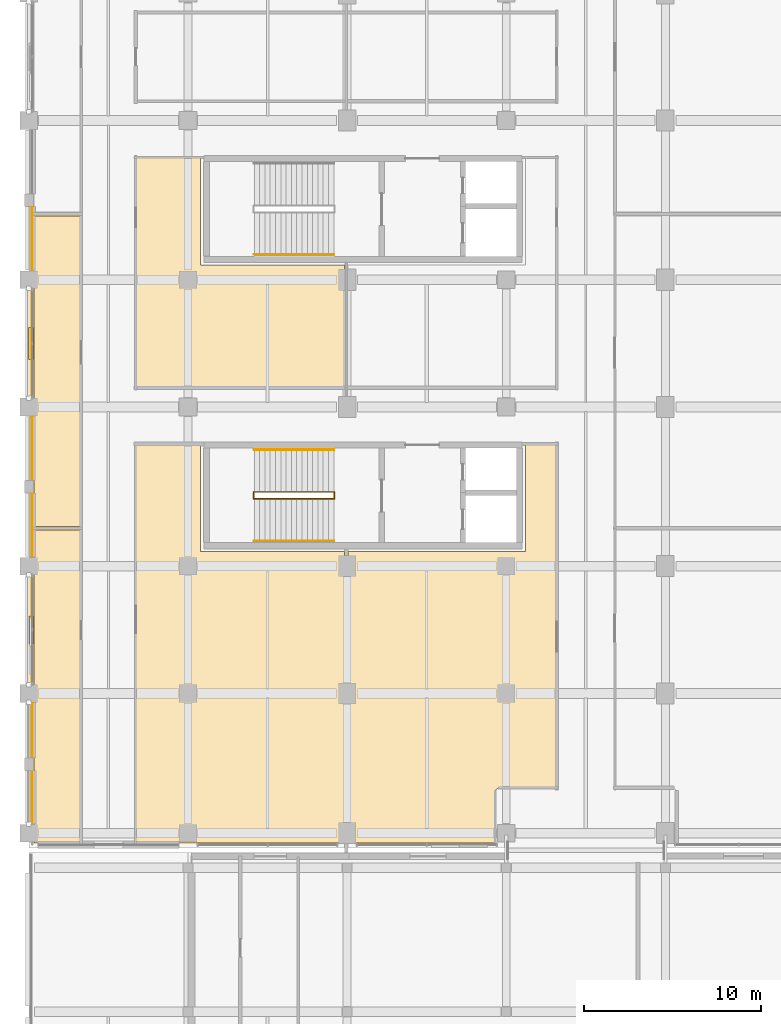
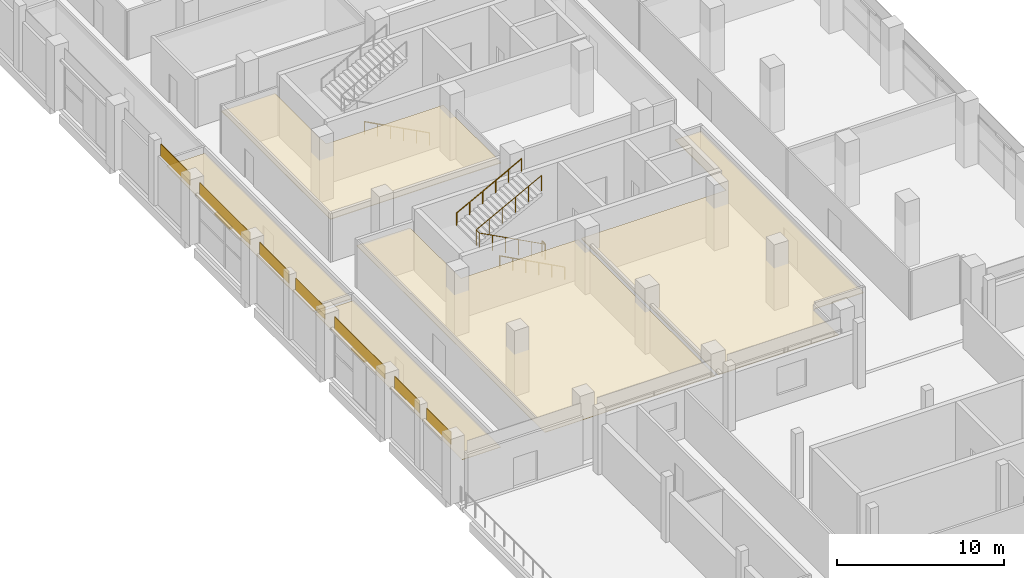
# One storey, part 92 of 111: 12 coverings, 5 railings, 2 shading devices.
"""IFC4 building model written with IfcOpenShell, lengths in metres."""

from ifc_helpers import new_model, si_unit, direction, frame, origin, origin_2d, place, context, subcontext, project, spatial, polyline, rectangle, circle, outline, extrude, material, layer, layer_set, type_object, element, save


model = new_model("IFC4")

# Units and contexts
model_context = context("Model", 3, precision=1e-05, world=origin(), true_north=direction((0.0, 1.0)))
body_context = subcontext(model_context, "Body", "Model", "MODEL_VIEW")
ifc_project = project(units=[si_unit("LENGTHUNIT", "METRE"), si_unit("AREAUNIT", "SQUARE_METRE"), si_unit("VOLUMEUNIT", "CUBIC_METRE"), si_unit("PLANEANGLEUNIT", "RADIAN"), si_unit("MASSUNIT", "GRAM", prefix="KILO"), si_unit("THERMODYNAMICTEMPERATUREUNIT", "KELVIN"), si_unit("POWERUNIT", "WATT")], contexts=[model_context])

# Site, building, storey
site_placement = place(None, origin())
site = spatial("IfcSite", under=ifc_project, at=site_placement, CompositionType="ELEMENT")
building_placement = place(site_placement, origin())
building = spatial("IfcBuilding", under=site, at=building_placement, Name="Sindhuravela Promenade Stadium", CompositionType="ELEMENT")
storey_placement = place(building_placement, frame((0.0, 0.0, 9.60009765625)))
storey = spatial("IfcBuildingStorey", under=building, at=storey_placement, Name="L02", CompositionType="ELEMENT", Elevation=9.60009765625)

# Coverings
ifc_material_1 = material(Name="Acoustic mineral-fibre ceiling tile", Category="gypsum")
ifc_layer_1 = layer(ifc_material_1, 0.02490234375)
ifc_layer_set_1 = layer_set([ifc_layer_1], Name="Acoustic mineral-fibre ceiling tile")
covering_type_1 = type_object("IfcCoveringType", Name="CV-CEIL-1", PredefinedType="CEILING", material=ifc_layer_set_1)
covering_1_placement = place(storey_placement, frame((0.0, 0.0, 3.0498046875)))
element("IfcCovering", 1, at=covering_1_placement, inside=storey, type_object=covering_type_1, Name="Acoustic ceiling West Club Lounge", PredefinedType="CEILING", context=body_context, shape_type="SweptSolid", body=[
    extrude(outline(polyline([(6.02001953125, 59.110107421875), (6.02001953125, 59.112060546875), (6.0205078125, 59.114013671875), (6.02099609375, 59.11572265625), (6.021484375, 59.11767578125), (6.0224609375, 59.119384765625), (6.0234375, 59.12109375), (6.0244140625, 59.122802734375), (6.02587890625, 59.1240234375), (6.02734375, 59.12548828125), (6.02880859375, 59.126708984375), (6.030517578125, 59.127685546875), (6.0322265625, 59.12841796875), (6.0341796875, 59.129150390625), (6.0361328125, 59.129638671875), (6.0380859375, 59.1298828125), (6.0400390625, 59.1298828125), (9.699951171875, 59.1298828125), (9.701904296875, 59.1298828125), (9.703857421875, 59.129638671875), (9.705810546875, 59.129150390625), (9.707763671875, 59.12841796875), (9.70947265625, 59.127685546875), (9.711181640625, 59.126708984375), (9.712646484375, 59.12548828125), (9.714111328125, 59.1240234375), (9.715576171875, 59.122802734375), (9.716552734375, 59.12109375), (9.717529296875, 59.119384765625), (9.718505859375, 59.11767578125), (9.718994140625, 59.11572265625), (9.719482421875, 59.114013671875), (9.719970703125, 59.112060546875), (9.719970703125, 59.110107421875), (9.719970703125, 53.02001953125), (17.830078125, 53.02001953125), (17.83203125, 53.02001953125), (17.833984375, 53.01953125), (17.835693359375, 53.01904296875), (17.837646484375, 53.0185546875), (17.83935546875, 53.017578125), (17.841064453125, 53.0166015625), (17.8427734375, 53.015380859375), (17.843994140625, 53.01416015625), (17.845458984375, 53.0126953125), (17.8466796875, 53.010986328125), (17.84765625, 53.009521484375), (17.848388671875, 53.0078125), (17.84912109375, 53.005859375), (17.849609375, 53.00390625), (17.849853515625, 53.001953125), (17.85009765625, 53.0), (17.85009765625, 36.570068359375), (17.849853515625, 36.568115234375), (17.849609375, 36.566162109375), (17.84912109375, 36.564208984375), (17.848388671875, 36.562255859375), (17.84765625, 36.560546875), (17.8466796875, 36.558837890625), (17.845458984375, 36.557373046875), (17.843994140625, 36.555908203125), (17.8427734375, 36.554443359375), (17.841064453125, 36.553466796875), (17.83935546875, 36.552490234375), (17.837646484375, 36.551513671875), (17.835693359375, 36.55078125), (17.833984375, 36.55029296875), (17.83203125, 36.550048828125), (17.830078125, 36.550048828125), (6.0400390625, 36.550048828125), (6.0380859375, 36.550048828125), (6.0361328125, 36.55029296875), (6.0341796875, 36.55078125), (6.0322265625, 36.551513671875), (6.030517578125, 36.552490234375), (6.02880859375, 36.553466796875), (6.02734375, 36.554443359375), (6.02587890625, 36.555908203125), (6.0244140625, 36.557373046875), (6.0234375, 36.558837890625), (6.0224609375, 36.560546875), (6.021484375, 36.562255859375), (6.02099609375, 36.564208984375), (6.0205078125, 36.566162109375), (6.02001953125, 36.568115234375), (6.02001953125, 36.570068359375), (6.02001953125, 59.110107421875)])), origin(), (0.0, 0.0, 1.0), 0.025146484375),
])
covering_2_placement = place(storey_placement, frame((0.0, 0.0, 3.0498046875)))
element("IfcCovering", 2, at=covering_2_placement, inside=storey, type_object=covering_type_1, Name="Acoustic ceiling West Club Lounge 9", PredefinedType="CEILING", context=body_context, shape_type="SweptSolid", body=[
    extrude(outline(polyline([(0.300048828125, 54.221923828125), (0.300048828125, 54.22412109375), (0.30029296875, 54.225830078125), (0.30078125, 54.227783203125), (0.301513671875, 54.229736328125), (0.302490234375, 54.2314453125), (0.303466796875, 54.233154296875), (0.304443359375, 54.234619140625), (0.305908203125, 54.236083984375), (0.307373046875, 54.237548828125), (0.308837890625, 54.238525390625), (0.310546875, 54.239501953125), (0.312255859375, 54.240478515625), (0.314208984375, 54.2412109375), (0.316162109375, 54.24169921875), (0.318115234375, 54.241943359375), (0.320068359375, 54.241943359375), (2.9599609375, 54.241943359375), (2.9619140625, 54.241943359375), (2.9638671875, 54.24169921875), (2.9658203125, 54.2412109375), (2.9677734375, 54.240478515625), (2.969482421875, 54.239501953125), (2.97119140625, 54.238525390625), (2.97265625, 54.237548828125), (2.97412109375, 54.236083984375), (2.9755859375, 54.234619140625), (2.9765625, 54.233154296875), (2.9775390625, 54.2314453125), (2.978515625, 54.229736328125), (2.97900390625, 54.227783203125), (2.9794921875, 54.225830078125), (2.97998046875, 54.22412109375), (2.97998046875, 54.221923828125), (2.97998046875, 36.570068359375), (2.97998046875, 36.568115234375), (2.9794921875, 36.566162109375), (2.97900390625, 36.564208984375), (2.978515625, 36.562255859375), (2.9775390625, 36.560546875), (2.9765625, 36.558837890625), (2.9755859375, 36.557373046875), (2.97412109375, 36.555908203125), (2.97265625, 36.554443359375), (2.97119140625, 36.553466796875), (2.969482421875, 36.552490234375), (2.9677734375, 36.551513671875), (2.9658203125, 36.55078125), (2.9638671875, 36.55029296875), (2.9619140625, 36.550048828125), (2.9599609375, 36.550048828125), (0.320068359375, 36.550048828125), (0.318115234375, 36.550048828125), (0.316162109375, 36.55029296875), (0.314208984375, 36.55078125), (0.312255859375, 36.551513671875), (0.310546875, 36.552490234375), (0.308837890625, 36.553466796875), (0.307373046875, 36.554443359375), (0.305908203125, 36.555908203125), (0.304443359375, 36.557373046875), (0.303466796875, 36.558837890625), (0.302490234375, 36.560546875), (0.301513671875, 36.562255859375), (0.30078125, 36.564208984375), (0.30029296875, 36.566162109375), (0.300048828125, 36.568115234375), (0.300048828125, 36.570068359375), (0.300048828125, 54.221923828125)])), origin(), (0.0, 0.0, 1.0), 0.025146484375),
])
ifc_layer_2 = layer(ifc_material_1, 0.044921875)
ifc_layer_set_2 = layer_set([ifc_layer_2], Name="Acoustic mineral-fibre ceiling tile")
covering_type_2 = type_object("IfcCoveringType", Name="CV-CEIL-2", PredefinedType="CEILING", material=ifc_layer_set_2)
covering_3_placement = place(storey_placement, frame((0.0, 0.0, 3.0498046875)))
element("IfcCovering", 3, at=covering_3_placement, inside=storey, type_object=covering_type_2, Name="Acoustic ceiling Accessible WC West L02", PredefinedType="CEILING", context=body_context, shape_type="SweptSolid", body=[
    extrude(outline(polyline([(28.080078125, 53.02001953125), (28.080078125, 59.110107421875), (28.080078125, 59.112060546875), (28.080322265625, 59.114013671875), (28.080810546875, 59.11572265625), (28.08154296875, 59.11767578125), (28.08251953125, 59.119384765625), (28.08349609375, 59.12109375), (28.08447265625, 59.122802734375), (28.0859375, 59.1240234375), (28.08740234375, 59.12548828125), (28.0888671875, 59.126708984375), (28.090576171875, 59.127685546875), (28.09228515625, 59.12841796875), (28.09423828125, 59.129150390625), (28.09619140625, 59.129638671875), (28.097900390625, 59.1298828125), (28.10009765625, 59.1298828125), (29.860107421875, 59.1298828125), (29.862060546875, 59.1298828125), (29.864013671875, 59.129638671875), (29.86572265625, 59.129150390625), (29.86767578125, 59.12841796875), (29.869384765625, 59.127685546875), (29.87109375, 59.126708984375), (29.872802734375, 59.12548828125), (29.8740234375, 59.1240234375), (29.87548828125, 59.122802734375), (29.876708984375, 59.12109375), (29.877685546875, 59.119384765625), (29.87841796875, 59.11767578125), (29.879150390625, 59.11572265625), (29.879638671875, 59.114013671875), (29.8798828125, 59.112060546875), (29.8798828125, 59.110107421875), (29.8798828125, 39.659912109375), (29.8798828125, 39.657958984375), (29.879638671875, 39.656005859375), (29.879150390625, 39.654296875), (29.87841796875, 39.65234375), (29.877685546875, 39.650634765625), (29.876708984375, 39.64892578125), (29.87548828125, 39.647216796875), (29.8740234375, 39.64599609375), (29.872802734375, 39.64453125), (29.87109375, 39.643310546875), (29.869384765625, 39.642333984375), (29.86767578125, 39.6416015625), (29.86572265625, 39.640869140625), (29.864013671875, 39.640380859375), (29.862060546875, 39.64013671875), (29.860107421875, 39.639892578125), (26.6005859375, 39.639892578125), (26.578369140625, 39.638916015625), (26.55712890625, 39.6357421875), (26.5361328125, 39.630615234375), (26.515869140625, 39.623291015625), (26.496337890625, 39.614013671875), (26.477783203125, 39.602783203125), (26.46044921875, 39.590087890625), (26.444580078125, 39.575439453125), (26.429931640625, 39.5595703125), (26.4169921875, 39.542236328125), (26.406005859375, 39.523681640625), (26.396728515625, 39.504150390625), (26.389404296875, 39.48388671875), (26.38427734375, 39.462890625), (26.381103515625, 39.441650390625), (26.3798828125, 39.41943359375), (26.3798828125, 36.570068359375), (26.3798828125, 36.568115234375), (26.379638671875, 36.566162109375), (26.379150390625, 36.564208984375), (26.37841796875, 36.562255859375), (26.377685546875, 36.560546875), (26.376708984375, 36.558837890625), (26.37548828125, 36.557373046875), (26.3740234375, 36.555908203125), (26.372802734375, 36.554443359375), (26.37109375, 36.553466796875), (26.369384765625, 36.552490234375), (26.36767578125, 36.551513671875), (26.36572265625, 36.55078125), (26.364013671875, 36.55029296875), (26.362060546875, 36.550048828125), (26.360107421875, 36.550048828125), (18.070068359375, 36.550048828125), (18.068115234375, 36.550048828125), (18.066162109375, 36.55029296875), (18.064208984375, 36.55078125), (18.062255859375, 36.551513671875), (18.060546875, 36.552490234375), (18.058837890625, 36.553466796875), (18.057373046875, 36.554443359375), (18.055908203125, 36.555908203125), (18.054443359375, 36.557373046875), (18.053466796875, 36.558837890625), (18.052490234375, 36.560546875), (18.051513671875, 36.562255859375), (18.05078125, 36.564208984375), (18.05029296875, 36.566162109375), (18.050048828125, 36.568115234375), (18.050048828125, 36.570068359375), (18.050048828125, 53.0), (18.050048828125, 53.001953125), (18.05029296875, 53.00390625), (18.05078125, 53.005859375), (18.051513671875, 53.0078125), (18.052490234375, 53.009521484375), (18.053466796875, 53.010986328125), (18.054443359375, 53.0126953125), (18.055908203125, 53.01416015625), (18.057373046875, 53.015380859375), (18.058837890625, 53.0166015625), (18.060546875, 53.017578125), (18.062255859375, 53.0185546875), (18.064208984375, 53.01904296875), (18.066162109375, 53.01953125), (18.068115234375, 53.02001953125), (18.070068359375, 53.02001953125), (28.080078125, 53.02001953125)])), origin(), (0.0, 0.0, 1.0), 0.045166015625),
])
covering_4_placement = place(storey_placement, frame((0.0, 0.0, 3.0498046875)))
element("IfcCovering", 4, at=covering_4_placement, inside=storey, type_object=covering_type_2, Name="Acoustic ceiling Club Finishing Kitchen West 4", PredefinedType="CEILING", context=body_context, shape_type="SweptSolid", body=[
    extrude(outline(polyline([(6.0400390625, 62.27001953125), (6.0380859375, 62.27001953125), (6.0361328125, 62.2705078125), (6.0341796875, 62.27099609375), (6.0322265625, 62.271484375), (6.030517578125, 62.2724609375), (6.02880859375, 62.2734375), (6.02734375, 62.2744140625), (6.02587890625, 62.27587890625), (6.0244140625, 62.27734375), (6.0234375, 62.27880859375), (6.0224609375, 62.280517578125), (6.021484375, 62.2822265625), (6.02099609375, 62.2841796875), (6.0205078125, 62.2861328125), (6.02001953125, 62.2880859375), (6.02001953125, 62.2900390625), (6.02001953125, 75.31005859375), (6.02001953125, 75.31201171875), (6.0205078125, 75.31396484375), (6.02099609375, 75.31591796875), (6.021484375, 75.317626953125), (6.0224609375, 75.3193359375), (6.0234375, 75.321044921875), (6.0244140625, 75.32275390625), (6.02587890625, 75.32421875), (6.02734375, 75.325439453125), (6.02880859375, 75.32666015625), (6.030517578125, 75.32763671875), (6.0322265625, 75.32861328125), (6.0341796875, 75.3291015625), (6.0361328125, 75.32958984375), (6.0380859375, 75.329833984375), (6.0400390625, 75.330078125), (9.699951171875, 75.330078125), (9.701904296875, 75.329833984375), (9.703857421875, 75.32958984375), (9.705810546875, 75.3291015625), (9.707763671875, 75.32861328125), (9.70947265625, 75.32763671875), (9.711181640625, 75.32666015625), (9.712646484375, 75.325439453125), (9.714111328125, 75.32421875), (9.715576171875, 75.32275390625), (9.716552734375, 75.321044921875), (9.717529296875, 75.3193359375), (9.718505859375, 75.317626953125), (9.718994140625, 75.31591796875), (9.719482421875, 75.31396484375), (9.719970703125, 75.31201171875), (9.719970703125, 75.31005859375), (9.719970703125, 69.219970703125), (17.830078125, 69.219970703125), (17.83203125, 69.219970703125), (17.833984375, 69.219482421875), (17.835693359375, 69.218994140625), (17.837646484375, 69.218505859375), (17.83935546875, 69.217529296875), (17.841064453125, 69.216552734375), (17.8427734375, 69.215576171875), (17.843994140625, 69.214111328125), (17.845458984375, 69.212646484375), (17.8466796875, 69.211181640625), (17.84765625, 69.20947265625), (17.848388671875, 69.207763671875), (17.84912109375, 69.205810546875), (17.849609375, 69.203857421875), (17.849853515625, 69.201904296875), (17.85009765625, 69.199951171875), (17.85009765625, 62.2900390625), (17.849853515625, 62.2880859375), (17.849609375, 62.2861328125), (17.84912109375, 62.2841796875), (17.848388671875, 62.2822265625), (17.84765625, 62.280517578125), (17.8466796875, 62.27880859375), (17.845458984375, 62.27734375), (17.843994140625, 62.27587890625), (17.8427734375, 62.2744140625), (17.841064453125, 62.2734375), (17.83935546875, 62.2724609375), (17.837646484375, 62.271484375), (17.835693359375, 62.27099609375), (17.833984375, 62.2705078125), (17.83203125, 62.27001953125), (17.830078125, 62.27001953125), (6.0400390625, 62.27001953125)])), origin(), (0.0, 0.0, 1.0), 0.045166015625),
])
covering_5_placement = place(storey_placement, frame((0.0, 0.0, 3.0498046875)))
element("IfcCovering", 5, at=covering_5_placement, inside=storey, type_object=covering_type_2, Name="Acoustic ceiling Directors Reception Lounge 12", PredefinedType="CEILING", context=body_context, shape_type="SweptSolid", body=[
    extrude(outline(polyline([(0.300048828125, 71.993896484375), (0.300048828125, 71.99609375), (0.30029296875, 71.997802734375), (0.30078125, 71.999755859375), (0.301513671875, 72.001708984375), (0.302490234375, 72.00341796875), (0.303466796875, 72.005126953125), (0.304443359375, 72.006591796875), (0.305908203125, 72.008056640625), (0.307373046875, 72.009521484375), (0.308837890625, 72.010498046875), (0.310546875, 72.01171875), (0.312255859375, 72.012451171875), (0.314208984375, 72.01318359375), (0.316162109375, 72.013671875), (0.318115234375, 72.013916015625), (0.320068359375, 72.013916015625), (2.9599609375, 72.013916015625), (2.9619140625, 72.013916015625), (2.9638671875, 72.013671875), (2.9658203125, 72.01318359375), (2.9677734375, 72.012451171875), (2.969482421875, 72.01171875), (2.97119140625, 72.010498046875), (2.97265625, 72.009521484375), (2.97412109375, 72.008056640625), (2.9755859375, 72.006591796875), (2.9765625, 72.005126953125), (2.9775390625, 72.00341796875), (2.978515625, 72.001708984375), (2.97900390625, 71.999755859375), (2.9794921875, 71.997802734375), (2.97998046875, 71.99609375), (2.97998046875, 71.993896484375), (2.97998046875, 54.4619140625), (2.97998046875, 54.4599609375), (2.9794921875, 54.4580078125), (2.97900390625, 54.456298828125), (2.978515625, 54.454345703125), (2.9775390625, 54.45263671875), (2.9765625, 54.450927734375), (2.9755859375, 54.44921875), (2.97412109375, 54.447998046875), (2.97265625, 54.446533203125), (2.97119140625, 54.4453125), (2.969482421875, 54.4443359375), (2.9677734375, 54.443603515625), (2.9658203125, 54.44287109375), (2.9638671875, 54.4423828125), (2.9619140625, 54.442138671875), (2.9599609375, 54.44189453125), (0.320068359375, 54.44189453125), (0.318115234375, 54.442138671875), (0.316162109375, 54.4423828125), (0.314208984375, 54.44287109375), (0.312255859375, 54.443603515625), (0.310546875, 54.4443359375), (0.308837890625, 54.4453125), (0.307373046875, 54.446533203125), (0.305908203125, 54.447998046875), (0.304443359375, 54.44921875), (0.303466796875, 54.450927734375), (0.302490234375, 54.45263671875), (0.301513671875, 54.454345703125), (0.30078125, 54.456298828125), (0.30029296875, 54.4580078125), (0.300048828125, 54.4599609375), (0.300048828125, 54.4619140625), (0.300048828125, 71.993896484375)])), origin(), (0.0, 0.0, 1.0), 0.045166015625),
])
ifc_material_2 = material(Name="Polychrome trencadis ceramic mosaic", Category="masonry")
ifc_layer_3 = layer(ifc_material_2, 0.034912109375)
ifc_layer_set_3 = layer_set([ifc_layer_3], Name="Polychrome trencadis ceramic mosaic")
covering_type_3 = type_object("IfcCoveringType", Name="CV-TRENC-1", PredefinedType="CLADDING", material=ifc_layer_set_3)
covering_6_placement = place(storey_placement, frame((0.179931640625, 42.925048828125, 3.5546875), z_axis=(0.0, 0.0, 1.0), x_axis=(0.0, 1.0, 0.0)))
element("IfcCovering", 6, at=covering_6_placement, inside=storey, type_object=covering_type_3, Name="Trencadis ceramic mosaic spandrel frieze WEST L02-28", PredefinedType="CLADDING", context=body_context, shape_type="SweptSolid", body=[
    extrude(rectangle(XDim=3.02001953125, YDim=0.034912109375, at=origin_2d()), origin(), (0.0, 0.0, 1.0), 0.905029296875),
])
covering_7_placement = place(storey_placement, frame((0.179931640625, 54.52490234375, 3.5546875), z_axis=(0.0, 0.0, 1.0), x_axis=(0.0, 1.0, 0.0)))
element("IfcCovering", 7, at=covering_7_placement, inside=storey, type_object=covering_type_3, Name="Trencadis ceramic mosaic spandrel frieze WEST L02-30", PredefinedType="CLADDING", context=body_context, shape_type="SweptSolid", body=[
    extrude(rectangle(XDim=3.52001953125, YDim=0.034912109375, at=origin_2d()), origin(), (0.0, 0.0, 1.0), 0.905029296875),
])
covering_8_placement = place(storey_placement, frame((0.179931640625, 64.800048828125, 3.5546875), z_axis=(0.0, 0.0, 1.0), x_axis=(0.0, 1.0, 0.0)))
element("IfcCovering", 8, at=covering_8_placement, inside=storey, type_object=covering_type_3, Name="Trencadis ceramic mosaic spandrel frieze WEST L02-32", PredefinedType="CLADDING", context=body_context, shape_type="SweptSolid", body=[
    extrude(rectangle(XDim=6.070068359375, YDim=0.034912109375, at=origin_2d()), origin(), (0.0, 0.0, 1.0), 0.905029296875),
])
ifc_layer_4 = layer(ifc_material_2, 0.050048828125)
ifc_layer_set_4 = layer_set([ifc_layer_4], Name="Polychrome trencadis ceramic mosaic")
covering_type_4 = type_object("IfcCoveringType", Name="CV-TRENC-2", PredefinedType="CLADDING", material=ifc_layer_set_4)
covering_9_placement = place(storey_placement, frame((0.179931640625, 39.125, 3.5546875), z_axis=(0.0, 0.0, 1.0), x_axis=(0.0, 1.0, 0.0)))
element("IfcCovering", 9, at=covering_9_placement, inside=storey, type_object=covering_type_4, Name="Trencadis ceramic mosaic spandrel frieze WEST L02-27", PredefinedType="CLADDING", context=body_context, shape_type="SweptSolid", body=[
    extrude(rectangle(XDim=2.919921875, YDim=0.050048828125, at=origin_2d()), origin(), (0.0, 0.0, 1.0), 0.905029296875),
])
covering_10_placement = place(storey_placement, frame((0.179931640625, 48.60009765625, 3.5546875), z_axis=(0.0, 0.0, 1.0), x_axis=(0.0, 1.0, 0.0)))
element("IfcCovering", 10, at=covering_10_placement, inside=storey, type_object=covering_type_4, Name="Trencadis ceramic mosaic spandrel frieze WEST L02-29", PredefinedType="CLADDING", context=body_context, shape_type="SweptSolid", body=[
    extrude(rectangle(XDim=6.070068359375, YDim=0.050048828125, at=origin_2d()), origin(), (0.0, 0.0, 1.0), 0.905029296875),
])
for number, where, z_axis, x_axis, name in (
    (11, (0.179931640625, 58.875, 3.5546875), (0.0, 0.0, 1.0), (0.0, 1.0, 0.0), "Trencadis ceramic mosaic spandrel frieze WEST L02-31"),
    (12, (0.179931640625, 70.72509765625, 3.5546875), (0.0, 0.0, 1.0), (0.0, 1.0, 0.0), "Trencadis ceramic mosaic spandrel frieze WEST L02-33"),
):
    element("IfcCovering", number, at=place(storey_placement, frame(where, z_axis=z_axis, x_axis=x_axis)), inside=storey, type_object=covering_type_4, Name=name, PredefinedType="CLADDING", context=body_context, shape_type="SweptSolid", body=[
        extrude(rectangle(XDim=3.52001953125, YDim=0.050048828125, at=origin_2d()), origin(), (0.0, 0.0, 1.0), 0.905029296875),
    ])

# Railings
ifc_material_3 = material(Name="Architectural wrought steel E350", Category="steel")
railing_type_1 = type_object("IfcRailingType", Name="RL-GRD-1150", PredefinedType="GUARDRAIL", material=ifc_material_3)
railing_1_placement = place(storey_placement, frame((17.25, 56.010009765625, 0.0)))
element("IfcRailing", 13, at=railing_1_placement, inside=storey, type_object=railing_type_1, Name="Stair ST01 inner well guard (L02)", PredefinedType="GUARDRAIL", context=body_context, shape_type="SweptSolid", body=[
    extrude(circle(Radius=0.02392578125, at=origin_2d()), frame((0.0, 0.0, 1.1259765625), z_axis=(-0.8836546633431795, 0.0, 0.46813933390802775), x_axis=(0.0, -1.0, 0.0)), (0.0, 0.0, 1.0), 5.12646484375),
    extrude(circle(Radius=0.02392578125, at=origin_2d()), frame((-4.530029296875, 0.0, 3.52587890625), z_axis=(0.0, 1.0, 0.0), x_axis=(-1.0, 0.0, 0.0)), (0.0, 0.0, 1.0), 0.3798828125),
    extrude(circle(Radius=0.02392578125, at=origin_2d()), frame((-4.530029296875, 0.3798828125, 3.52587890625), z_axis=(0.8836546633431795, 0.0, 0.46813933390802775), x_axis=(0.0, 1.0, 0.0)), (0.0, 0.0, 1.0), 5.12646484375),
    extrude(circle(Radius=0.02099609375, at=origin_2d()), origin(), (0.0, 0.0, 1.0), 1.101806640625),
    extrude(circle(Radius=0.02099609375, at=origin_2d()), frame((-0.906005859375, 0.0, 0.47998046875)), (0.0, 0.0, 1.0), 1.101806640625),
    extrude(circle(Radius=0.02099609375, at=origin_2d()), frame((-1.81201171875, 0.0, 0.9599609375)), (0.0, 0.0, 1.0), 1.101806640625),
    extrude(circle(Radius=0.02099609375, at=origin_2d()), frame((-2.718017578125, 0.0, 1.43994140625)), (0.0, 0.0, 1.0), 1.101806640625),
    extrude(circle(Radius=0.02099609375, at=origin_2d()), frame((-3.6240234375, 0.0, 1.919921875)), (0.0, 0.0, 1.0), 1.101806640625),
    extrude(circle(Radius=0.02099609375, at=origin_2d()), frame((-4.530029296875, 0.0, 2.39990234375)), (0.0, 0.0, 1.0), 1.101806640625),
    extrude(circle(Radius=0.02099609375, at=origin_2d()), frame((-4.530029296875, 0.3798828125, 2.39990234375)), (0.0, 0.0, 1.0), 1.101806640625),
    extrude(circle(Radius=0.02099609375, at=origin_2d()), frame((-3.6240234375, 0.3798828125, 2.8798828125)), (0.0, 0.0, 1.0), 1.101806640625),
    extrude(circle(Radius=0.02099609375, at=origin_2d()), frame((-2.718017578125, 0.3798828125, 3.35986328125)), (0.0, 0.0, 1.0), 1.101806640625),
    extrude(circle(Radius=0.02099609375, at=origin_2d()), frame((-1.81201171875, 0.3798828125, 3.83984375)), (0.0, 0.0, 1.0), 1.101806640625),
    extrude(circle(Radius=0.02099609375, at=origin_2d()), frame((-0.906005859375, 0.3798828125, 4.31982421875)), (0.0, 0.0, 1.0), 1.101806640625),
    extrude(circle(Radius=0.02099609375, at=origin_2d()), frame((0.0, 0.3798828125, 4.7998046875)), (0.0, 0.0, 1.0), 1.101806640625),
])
railing_2_placement = place(storey_placement, frame((17.280029296875, 56.010009765625, 0.0)))
element("IfcRailing", 14, at=railing_2_placement, inside=storey, type_object=railing_type_1, Name="Stair ST01 landing well slot guard (L02)", PredefinedType="GUARDRAIL", context=body_context, shape_type="SweptSolid", body=[
    extrude(circle(Radius=0.02392578125, at=origin_2d()), frame((0.0, 0.0, 1.1259765625), z_axis=(0.0, 1.0, 0.0), x_axis=(-1.0, 0.0, 0.0)), (0.0, 0.0, 1.0), 0.3798828125),
    extrude(circle(Radius=0.02099609375, at=origin_2d()), origin(), (0.0, 0.0, 1.0), 1.101806640625),
    extrude(circle(Radius=0.02099609375, at=origin_2d()), frame((0.0, 0.3798828125, 0.0)), (0.0, 0.0, 1.0), 1.101806640625),
])
railing_type_2 = type_object("IfcRailingType", Name="RL-HND-920", PredefinedType="HANDRAIL", material=ifc_material_3)
railing_3_placement = place(storey_placement, frame((17.25, 53.6201171875, 0.0)))
element("IfcRailing", 15, at=railing_3_placement, inside=storey, type_object=railing_type_2, Name="Stair ST01 lower wall handrail (L02)", PredefinedType="HANDRAIL", context=body_context, shape_type="SweptSolid", body=[
    extrude(circle(Radius=0.02392578125, at=origin_2d()), frame((0.0, 0.0, 0.89599609375), z_axis=(-0.8823608919668723, 0.0, 0.4705733272588083), x_axis=(0.0, -1.0, 0.0)), (0.0, 0.0, 1.0), 5.099853515625),
    extrude(circle(Radius=0.02099609375, at=origin_2d()), origin(), (0.0, 0.0, 1.0), 0.871826171875),
    extrude(circle(Radius=0.02099609375, at=origin_2d()), frame((-0.89990234375, 0.0, 0.47998046875)), (0.0, 0.0, 1.0), 0.871826171875),
    extrude(circle(Radius=0.02099609375, at=origin_2d()), frame((-1.800048828125, 0.0, 0.9599609375)), (0.0, 0.0, 1.0), 0.871826171875),
    extrude(circle(Radius=0.02099609375, at=origin_2d()), frame((-2.699951171875, 0.0, 1.43994140625)), (0.0, 0.0, 1.0), 0.871826171875),
    extrude(circle(Radius=0.02099609375, at=origin_2d()), frame((-3.60009765625, 0.0, 1.919921875)), (0.0, 0.0, 1.0), 0.871826171875),
    extrude(circle(Radius=0.02099609375, at=origin_2d()), frame((-4.5, 0.0, 2.39990234375)), (0.0, 0.0, 1.0), 0.871826171875),
])
railing_4_placement = place(storey_placement, frame((12.75, 58.780029296875, 2.39990234375)))
element("IfcRailing", 16, at=railing_4_placement, inside=storey, type_object=railing_type_2, Name="Stair ST01 upper wall handrail (L02)", PredefinedType="HANDRAIL", context=body_context, shape_type="SweptSolid", body=[
    extrude(circle(Radius=0.02392578125, at=origin_2d()), frame((0.0, 0.0, 0.89599609375), z_axis=(0.8823608919668723, 0.0, 0.4705733272588083), x_axis=(0.0, 1.0, 0.0)), (0.0, 0.0, 1.0), 5.099853515625),
    extrude(circle(Radius=0.02099609375, at=origin_2d()), origin(), (0.0, 0.0, 1.0), 0.871826171875),
    extrude(circle(Radius=0.02099609375, at=origin_2d()), frame((0.89990234375, 0.0, 0.47998046875)), (0.0, 0.0, 1.0), 0.871826171875),
    extrude(circle(Radius=0.02099609375, at=origin_2d()), frame((1.800048828125, 0.0, 0.9599609375)), (0.0, 0.0, 1.0), 0.871826171875),
    extrude(circle(Radius=0.02099609375, at=origin_2d()), frame((2.699951171875, 0.0, 1.43994140625)), (0.0, 0.0, 1.0), 0.871826171875),
    extrude(circle(Radius=0.02099609375, at=origin_2d()), frame((3.60009765625, 0.0, 1.919921875)), (0.0, 0.0, 1.0), 0.871826171875),
    extrude(circle(Radius=0.02099609375, at=origin_2d()), frame((4.5, 0.0, 2.39990234375)), (0.0, 0.0, 1.0), 0.871826171875),
])
railing_5_placement = place(storey_placement, frame((17.25, 69.820068359375, 0.0)))
element("IfcRailing", 17, at=railing_5_placement, inside=storey, type_object=railing_type_2, Name="Stair ST02 lower wall handrail (L02)", PredefinedType="HANDRAIL", context=body_context, shape_type="SweptSolid", body=[
    extrude(circle(Radius=0.02392578125, at=origin_2d()), frame((0.0, 0.0, 0.89599609375), z_axis=(-0.8823608919668723, 0.0, 0.4705733272588083), x_axis=(0.0, -1.0, 0.0)), (0.0, 0.0, 1.0), 5.099853515625),
    extrude(circle(Radius=0.02099609375, at=origin_2d()), origin(), (0.0, 0.0, 1.0), 0.871826171875),
    extrude(circle(Radius=0.02099609375, at=origin_2d()), frame((-0.89990234375, 0.0, 0.47998046875)), (0.0, 0.0, 1.0), 0.871826171875),
    extrude(circle(Radius=0.02099609375, at=origin_2d()), frame((-1.800048828125, 0.0, 0.9599609375)), (0.0, 0.0, 1.0), 0.871826171875),
    extrude(circle(Radius=0.02099609375, at=origin_2d()), frame((-2.699951171875, 0.0, 1.43994140625)), (0.0, 0.0, 1.0), 0.871826171875),
    extrude(circle(Radius=0.02099609375, at=origin_2d()), frame((-3.60009765625, 0.0, 1.919921875)), (0.0, 0.0, 1.0), 0.871826171875),
    extrude(circle(Radius=0.02099609375, at=origin_2d()), frame((-4.5, 0.0, 2.39990234375)), (0.0, 0.0, 1.0), 0.871826171875),
])

# Shading devices
ifc_material_4 = material(Name="Perforated terracotta celosia brick (15 MPa)", Category="masonry")
shading_device_type_1 = type_object("IfcShadingDeviceType", Name="SH-JAL-1", PredefinedType="JALOUSIE", material=ifc_material_4)
shading_device_1_placement = place(storey_placement, frame((0.139892578125, 48.60009765625, 3.4599609375), z_axis=(0.0, 0.0, 1.0), x_axis=(0.0, 1.0, 0.0)))
element("IfcShadingDevice", 18, at=shading_device_1_placement, inside=storey, type_object=shading_device_type_1, Name="Terracotta solar shading louvre WEST L02-6", PredefinedType="JALOUSIE", context=body_context, shape_type="SweptSolid", body=[
    extrude(rectangle(XDim=1.580078125, YDim=0.280029296875, at=origin_2d()), origin(), (0.0, 0.0, 1.0), 0.1201171875),
])
shading_device_type_2 = type_object("IfcShadingDeviceType", Name="SH-JAL-2", PredefinedType="JALOUSIE", material=ifc_material_4)
shading_device_2_placement = place(storey_placement, frame((0.139892578125, 64.800048828125, 3.4501953125), z_axis=(0.0, 0.0, 1.0), x_axis=(0.0, 1.0, 0.0)))
element("IfcShadingDevice", 19, at=shading_device_2_placement, inside=storey, type_object=shading_device_type_2, Name="Terracotta solar shading louvre WEST L02-7", PredefinedType="JALOUSIE", context=body_context, shape_type="SweptSolid", body=[
    extrude(rectangle(XDim=1.800048828125, YDim=0.320068359375, at=origin_2d()), origin(), (0.0, 0.0, 1.0), 0.139892578125),
])

save(model, "model.ifc")
